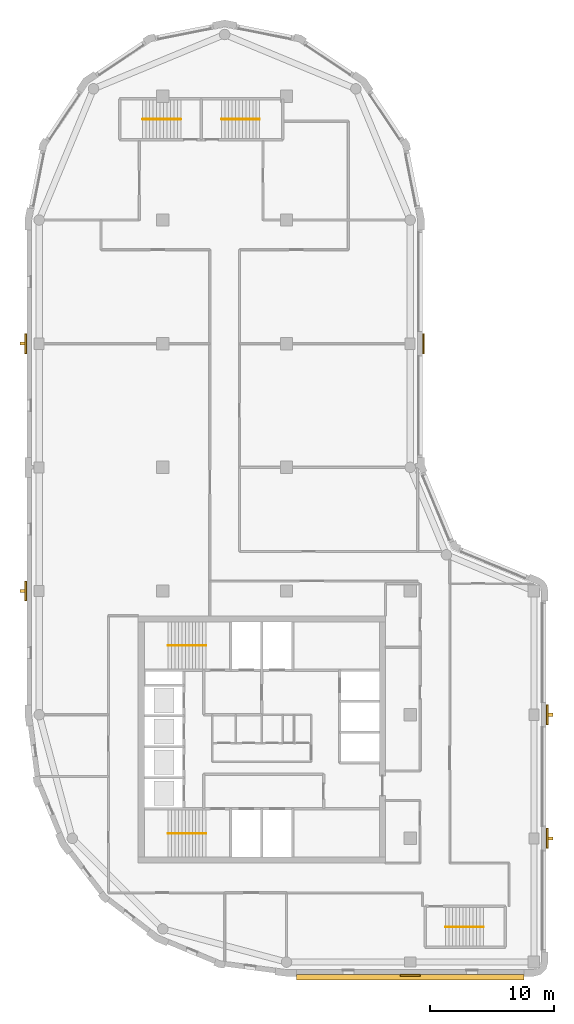
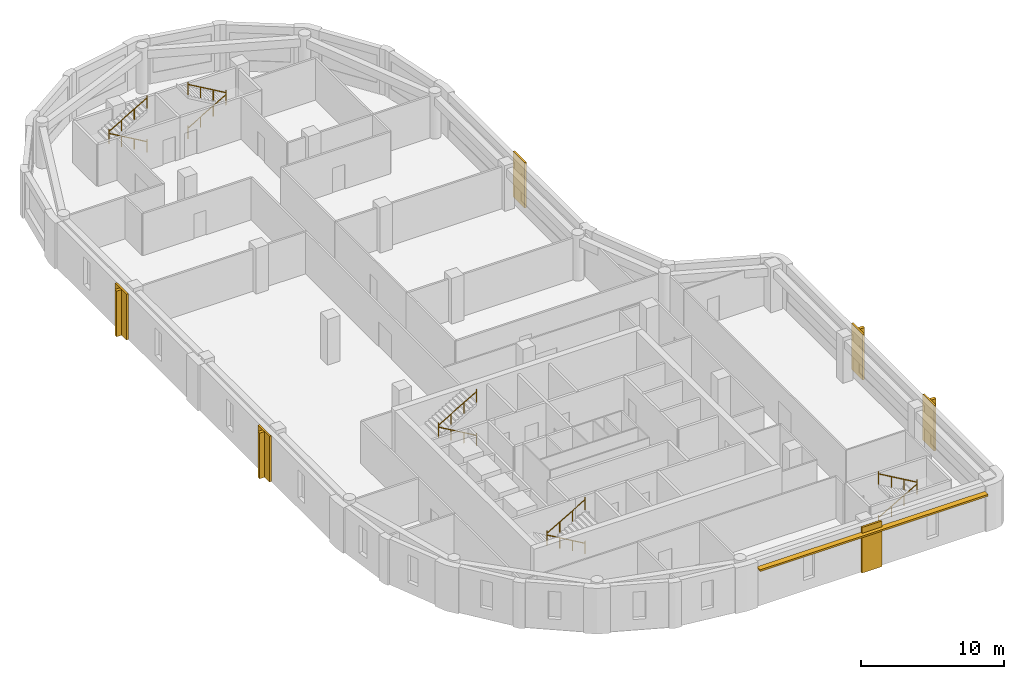
# One storey, part 7 of 8: 10 railings, 6 coverings, 5 shading devices.
"""IFC4 building model written with IfcOpenShell, lengths in metres."""

from ifc_helpers import new_model, si_unit, direction, frame, origin, origin_2d, place, context, subcontext, project, spatial, polyline, rectangle, circle, outline, extrude, material, layer, layer_set, type_object, element, save


model = new_model("IFC4")

# Units and contexts
model_context = context("Model", 3, precision=1e-05, world=origin(), true_north=direction((0.0, 1.0)))
body_context = subcontext(model_context, "Body", "Model", "MODEL_VIEW")
ifc_project = project(units=[si_unit("LENGTHUNIT", "METRE"), si_unit("AREAUNIT", "SQUARE_METRE"), si_unit("VOLUMEUNIT", "CUBIC_METRE"), si_unit("PLANEANGLEUNIT", "RADIAN"), si_unit("MASSUNIT", "GRAM", prefix="KILO")], contexts=[model_context])

# Site, building, storey
site_placement = place(None, origin())
site = spatial("IfcSite", under=ifc_project, at=site_placement, CompositionType="ELEMENT")
building_placement = place(site_placement, origin())
building = spatial("IfcBuilding", under=site, at=building_placement, Name="Qaws Garden Tower", CompositionType="ELEMENT")
storey_placement = place(building_placement, frame((0.0, 0.0, 294.300048828125)))
storey = spatial("IfcBuildingStorey", under=building, at=storey_placement, Name="L71", CompositionType="ELEMENT", Elevation=294.300048828125)

# Coverings
ifc_material_1 = material(Name="Clay facing brick masonry", Category="masonry")
ifc_layer_1 = layer(ifc_material_1, 0.14990234375)
ifc_layer_set_1 = layer_set([ifc_layer_1], Name="Clay facing brick masonry")
covering_type = type_object("IfcCoveringType", Name="Brick pilaster facing 150 x 1600", PredefinedType="CLADDING", material=ifc_layer_set_1)
placement = place(storey_placement, origin())
element("IfcCovering", 1, at=placement, inside=storey, type_object=covering_type, Name="E-L71-pier-01", PredefinedType="CLADDING", context=body_context, shape_type="SweptSolid", body=[
    extrude(outline(polyline([(29.199951171875, -1.0), (30.800048828125, -1.0), (30.800048828125, -1.14990234375), (29.199951171875, -1.14990234375), (29.199951171875, -1.0)])), origin(), (0.0, 0.0, 1.0), 3.89990234375),
])
element("IfcCovering", 2, at=placement, inside=storey, type_object=covering_type, Name="E-L71-pier-03", PredefinedType="CLADDING", context=body_context, shape_type="SweptSolid", body=[
    extrude(outline(polyline([(41.0, 9.199951171875), (41.0, 10.800048828125), (41.14990234375, 10.800048828125), (41.14990234375, 9.199951171875), (41.0, 9.199951171875)])), origin(), (0.0, 0.0, 1.0), 3.89990234375),
])
element("IfcCovering", 3, at=placement, inside=storey, type_object=covering_type, Name="E-L71-pier-04", PredefinedType="CLADDING", context=body_context, shape_type="SweptSolid", body=[
    extrude(outline(polyline([(41.0, 19.199951171875), (41.0, 20.800048828125), (41.14990234375, 20.800048828125), (41.14990234375, 19.199951171875), (41.0, 19.199951171875)])), origin(), (0.0, 0.0, 1.0), 3.89990234375),
])
element("IfcCovering", 4, at=placement, inside=storey, type_object=covering_type, Name="E-L71-pier-08", PredefinedType="CLADDING", context=body_context, shape_type="SweptSolid", body=[
    extrude(outline(polyline([(31.0, 49.199951171875), (31.0, 50.800048828125), (31.14990234375, 50.800048828125), (31.14990234375, 49.199951171875), (31.0, 49.199951171875)])), origin(), (0.0, 0.0, 1.0), 3.89990234375),
])
element("IfcCovering", 5, at=placement, inside=storey, type_object=covering_type, Name="E-L71-pier-18", PredefinedType="CLADDING", context=body_context, shape_type="SweptSolid", body=[
    extrude(outline(polyline([(-1.0, 50.800048828125), (-1.0, 49.199951171875), (-1.14990234375, 49.199951171875), (-1.14990234375, 50.800048828125), (-1.0, 50.800048828125)])), origin(), (0.0, 0.0, 1.0), 3.89990234375),
])
element("IfcCovering", 6, at=placement, inside=storey, type_object=covering_type, Name="E-L71-pier-20", PredefinedType="CLADDING", context=body_context, shape_type="SweptSolid", body=[
    extrude(outline(polyline([(-1.0, 30.800048828125), (-1.0, 29.199951171875), (-1.14990234375, 29.199951171875), (-1.14990234375, 30.800048828125), (-1.0, 30.800048828125)])), origin(), (0.0, 0.0, 1.0), 3.89990234375),
])

# Shading devices
ifc_material_2 = material(Name="Clay facing brick masonry", Category="masonry")
ifc_layer_2 = layer(ifc_material_2, 0.14990234375)
ifc_layer_set_2 = layer_set([ifc_layer_2], Name="Clay facing brick masonry")
shading_device_type_1 = type_object("IfcShadingDeviceType", Name="Brick sunshade band 450 x 150", PredefinedType="JALOUSIE", material=ifc_layer_set_2)
shading_device_placement = place(storey_placement, frame((0.0, 0.0, 3.25)))
element("IfcShadingDevice", 7, at=shading_device_placement, inside=storey, type_object=shading_device_type_1, Name="SUNSHADE 00", PredefinedType="JALOUSIE", context=body_context, shape_type="SweptSolid", body=[
    extrude(outline(polyline([(20.800048828125, -1.0), (20.800048828125, -1.449951171875), (39.199951171875, -1.449951171875), (39.199951171875, -1.0), (30.800048828125, -1.0), (30.800048828125, -1.14990234375), (29.199951171875, -1.14990234375), (29.199951171875, -1.0), (20.800048828125, -1.0)])), origin(), (0.0, 0.0, 1.0), 0.14990234375),
])
ifc_material_3 = material(Name="Clay facing brick masonry", Category="masonry")
ifc_layer_3 = layer(ifc_material_3, 0.25)
ifc_layer_set_3 = layer_set([ifc_layer_3], Name="Clay facing brick masonry")
shading_device_type_2 = type_object("IfcShadingDeviceType", Name="Brick-faced fin 250 x 400", PredefinedType="USERDEFINED", material=ifc_layer_set_3)
for number, where, z_axis, x_axis, name in (
    (8, (41.35009765625, 10.0, 0.0), (0.0, 0.0, 1.0), (0.0, 1.0, 0.0), "FIN 03"),
    (9, (41.35009765625, 20.0, 0.0), (0.0, 0.0, 1.0), (0.0, 1.0, 0.0), "FIN 04"),
    (10, (-1.35009765625, 50.0, 0.0), (0.0, 0.0, 1.0), (0.0, -1.0, 0.0), "FIN 18"),
    (11, (-1.35009765625, 30.0, 0.0), (0.0, 0.0, 1.0), (0.0, -1.0, 0.0), "FIN 20"),
):
    element("IfcShadingDevice", number, at=place(storey_placement, frame(where, z_axis=z_axis, x_axis=x_axis)), inside=storey, type_object=shading_device_type_2, Name=name, ObjectType="FIN", PredefinedType="USERDEFINED", context=body_context, shape_type="SweptSolid", body=[
        extrude(rectangle(XDim=0.25, YDim=0.39990234375, at=origin_2d()), origin(), (0.0, 0.0, 1.0), 3.89990234375),
    ])

# Railings
ifc_material_4 = material(Name="Steel S355", Category="steel")
railing_type = type_object("IfcRailingType", Name="Stair handrail 900", PredefinedType="HANDRAIL", material=ifc_material_4)
railing_1_placement = place(storey_placement, frame((13.5, 10.39990234375, 0.162353515625)))
element("IfcRailing", 12, at=railing_1_placement, inside=storey, type_object=railing_type, Name="Stair 1 handrail", PredefinedType="HANDRAIL", context=body_context, shape_type="SweptSolid", body=[
    extrude(circle(Radius=0.02392578125, at=origin_2d()), frame((0.0, 0.0, 0.8759765625), z_axis=(-0.864890721111, 0.0, 0.501960198159), x_axis=(0.0, -1.0, 0.0)), (0.0, 0.0, 1.0), 3.561279296875),
    extrude(circle(Radius=0.02099609375, at=origin_2d()), origin(), (0.0, 0.0, 1.0), 1.06201171875),
    extrude(circle(Radius=0.02099609375, at=origin_2d()), frame((-1.026611328125, 0.0, 0.595947265625)), (0.0, 0.0, 1.0), 0.851806640625),
    extrude(circle(Radius=0.02099609375, at=origin_2d()), frame((-2.053466796875, 0.0, 1.191650390625)), (0.0, 0.0, 1.0), 0.851806640625),
    extrude(circle(Radius=0.02099609375, at=origin_2d()), frame((-3.080078125, 0.0, 1.78759765625)), (0.0, 0.0, 1.0), 1.06201171875),
])
railing_2_placement = place(storey_placement, frame((10.419921875, 10.39990234375, 2.112548828125)))
element("IfcRailing", 13, at=railing_2_placement, inside=storey, type_object=railing_type, Name="Stair 1 handrail", PredefinedType="HANDRAIL", context=body_context, shape_type="SweptSolid", body=[
    extrude(circle(Radius=0.02392578125, at=origin_2d()), frame((0.0, 0.0, 0.8759765625), z_axis=(0.864920483161, 0.0, 0.501908913857), x_axis=(0.0, 1.0, 0.0)), (0.0, 0.0, 1.0), 3.56103515625),
    extrude(circle(Radius=0.02099609375, at=origin_2d()), origin(), (0.0, 0.0, 1.0), 1.06201171875),
    extrude(circle(Radius=0.02099609375, at=origin_2d()), frame((1.026611328125, 0.0, 0.595703125)), (0.0, 0.0, 1.0), 0.851806640625),
    extrude(circle(Radius=0.02099609375, at=origin_2d()), frame((2.053466796875, 0.0, 1.191650390625)), (0.0, 0.0, 1.0), 0.851806640625),
    extrude(circle(Radius=0.02099609375, at=origin_2d()), frame((3.080078125, 0.0, 1.787353515625)), (0.0, 0.0, 1.0), 1.06201171875),
])
railing_3_placement = place(storey_placement, frame((13.5, 25.60009765625, 0.162353515625)))
element("IfcRailing", 14, at=railing_3_placement, inside=storey, type_object=railing_type, Name="Stair 4 handrail", PredefinedType="HANDRAIL", context=body_context, shape_type="SweptSolid", body=[
    extrude(circle(Radius=0.02392578125, at=origin_2d()), frame((0.0, 0.0, 0.8759765625), z_axis=(-0.864890721111, 0.0, 0.501960198159), x_axis=(0.0, -1.0, 0.0)), (0.0, 0.0, 1.0), 3.561279296875),
    extrude(circle(Radius=0.02099609375, at=origin_2d()), origin(), (0.0, 0.0, 1.0), 1.06201171875),
    extrude(circle(Radius=0.02099609375, at=origin_2d()), frame((-1.026611328125, 0.0, 0.595947265625)), (0.0, 0.0, 1.0), 0.851806640625),
    extrude(circle(Radius=0.02099609375, at=origin_2d()), frame((-2.053466796875, 0.0, 1.191650390625)), (0.0, 0.0, 1.0), 0.851806640625),
    extrude(circle(Radius=0.02099609375, at=origin_2d()), frame((-3.080078125, 0.0, 1.78759765625)), (0.0, 0.0, 1.0), 1.06201171875),
])
railing_4_placement = place(storey_placement, frame((10.419921875, 25.60009765625, 2.112548828125)))
element("IfcRailing", 15, at=railing_4_placement, inside=storey, type_object=railing_type, Name="Stair 4 handrail", PredefinedType="HANDRAIL", context=body_context, shape_type="SweptSolid", body=[
    extrude(circle(Radius=0.02392578125, at=origin_2d()), frame((0.0, 0.0, 0.8759765625), z_axis=(0.864920483161, 0.0, 0.501908913857), x_axis=(0.0, 1.0, 0.0)), (0.0, 0.0, 1.0), 3.56103515625),
    extrude(circle(Radius=0.02099609375, at=origin_2d()), origin(), (0.0, 0.0, 1.0), 1.06201171875),
    extrude(circle(Radius=0.02099609375, at=origin_2d()), frame((1.026611328125, 0.0, 0.595703125)), (0.0, 0.0, 1.0), 0.851806640625),
    extrude(circle(Radius=0.02099609375, at=origin_2d()), frame((2.053466796875, 0.0, 1.191650390625)), (0.0, 0.0, 1.0), 0.851806640625),
    extrude(circle(Radius=0.02099609375, at=origin_2d()), frame((3.080078125, 0.0, 1.787353515625)), (0.0, 0.0, 1.0), 1.06201171875),
])
railing_5_placement = place(storey_placement, frame((32.85009765625, 2.85009765625, 0.162353515625)))
element("IfcRailing", 16, at=railing_5_placement, inside=storey, type_object=railing_type, Name="Stair 5 handrail", PredefinedType="HANDRAIL", context=body_context, shape_type="SweptSolid", body=[
    extrude(circle(Radius=0.02392578125, at=origin_2d()), frame((0.0, 0.0, 0.8759765625), z_axis=(0.864873446163, 0.0, 0.501989962173), x_axis=(0.0, 1.0, 0.0)), (0.0, 0.0, 1.0), 3.56103515625),
    extrude(circle(Radius=0.02099609375, at=origin_2d()), origin(), (0.0, 0.0, 1.0), 1.06201171875),
    extrude(circle(Radius=0.02099609375, at=origin_2d()), frame((1.026611328125, 0.0, 0.595947265625)), (0.0, 0.0, 1.0), 0.851806640625),
    extrude(circle(Radius=0.02099609375, at=origin_2d()), frame((2.05322265625, 0.0, 1.191650390625)), (0.0, 0.0, 1.0), 0.851806640625),
    extrude(circle(Radius=0.02099609375, at=origin_2d()), frame((3.079833984375, 0.0, 1.78759765625)), (0.0, 0.0, 1.0), 1.06201171875),
])
railing_6_placement = place(storey_placement, frame((35.929931640625, 2.85009765625, 2.112548828125)))
element("IfcRailing", 17, at=railing_6_placement, inside=storey, type_object=railing_type, Name="Stair 5 handrail", PredefinedType="HANDRAIL", context=body_context, shape_type="SweptSolid", body=[
    extrude(circle(Radius=0.02392578125, at=origin_2d()), frame((0.0, 0.0, 0.8759765625), z_axis=(-0.864903211148, 0.0, 0.501938676878), x_axis=(0.0, -1.0, 0.0)), (0.0, 0.0, 1.0), 3.560791015625),
    extrude(circle(Radius=0.02099609375, at=origin_2d()), origin(), (0.0, 0.0, 1.0), 1.06201171875),
    extrude(circle(Radius=0.02099609375, at=origin_2d()), frame((-1.026611328125, 0.0, 0.595703125)), (0.0, 0.0, 1.0), 0.851806640625),
    extrude(circle(Radius=0.02099609375, at=origin_2d()), frame((-2.05322265625, 0.0, 1.191650390625)), (0.0, 0.0, 1.0), 0.851806640625),
    extrude(circle(Radius=0.02099609375, at=origin_2d()), frame((-3.079833984375, 0.0, 1.787353515625)), (0.0, 0.0, 1.0), 1.06201171875),
])
railing_7_placement = place(storey_placement, frame((11.449951171875, 68.14990234375, 0.162353515625)))
element("IfcRailing", 18, at=railing_7_placement, inside=storey, type_object=railing_type, Name="Stair 6 handrail", PredefinedType="HANDRAIL", context=body_context, shape_type="SweptSolid", body=[
    extrude(circle(Radius=0.02392578125, at=origin_2d()), frame((0.0, 0.0, 0.8759765625), z_axis=(-0.864873446163, 0.0, 0.501989962173), x_axis=(0.0, -1.0, 0.0)), (0.0, 0.0, 1.0), 3.56103515625),
    extrude(circle(Radius=0.02099609375, at=origin_2d()), origin(), (0.0, 0.0, 1.0), 1.06201171875),
    extrude(circle(Radius=0.02099609375, at=origin_2d()), frame((-1.026611328125, 0.0, 0.595947265625)), (0.0, 0.0, 1.0), 0.851806640625),
    extrude(circle(Radius=0.02099609375, at=origin_2d()), frame((-2.05322265625, 0.0, 1.191650390625)), (0.0, 0.0, 1.0), 0.851806640625),
    extrude(circle(Radius=0.02099609375, at=origin_2d()), frame((-3.079833984375, 0.0, 1.78759765625)), (0.0, 0.0, 1.0), 1.06201171875),
])
railing_8_placement = place(storey_placement, frame((8.3701171875, 68.14990234375, 2.112548828125)))
element("IfcRailing", 19, at=railing_8_placement, inside=storey, type_object=railing_type, Name="Stair 6 handrail", PredefinedType="HANDRAIL", context=body_context, shape_type="SweptSolid", body=[
    extrude(circle(Radius=0.02392578125, at=origin_2d()), frame((0.0, 0.0, 0.8759765625), z_axis=(0.864903211148, 0.0, 0.501938676878), x_axis=(0.0, 1.0, 0.0)), (0.0, 0.0, 1.0), 3.560791015625),
    extrude(circle(Radius=0.02099609375, at=origin_2d()), origin(), (0.0, 0.0, 1.0), 1.06201171875),
    extrude(circle(Radius=0.02099609375, at=origin_2d()), frame((1.026611328125, 0.0, 0.595703125)), (0.0, 0.0, 1.0), 0.851806640625),
    extrude(circle(Radius=0.02099609375, at=origin_2d()), frame((2.05322265625, 0.0, 1.191650390625)), (0.0, 0.0, 1.0), 0.851806640625),
    extrude(circle(Radius=0.02099609375, at=origin_2d()), frame((3.079833984375, 0.0, 1.787353515625)), (0.0, 0.0, 1.0), 1.06201171875),
])
railing_9_placement = place(storey_placement, frame((14.75, 68.14990234375, 0.162353515625)))
element("IfcRailing", 20, at=railing_9_placement, inside=storey, type_object=railing_type, Name="Stair 7 handrail", PredefinedType="HANDRAIL", context=body_context, shape_type="SweptSolid", body=[
    extrude(circle(Radius=0.02392578125, at=origin_2d()), frame((0.0, 0.0, 0.8759765625), z_axis=(0.864890721111, 0.0, 0.501960198159), x_axis=(0.0, 1.0, 0.0)), (0.0, 0.0, 1.0), 3.561279296875),
    extrude(circle(Radius=0.02099609375, at=origin_2d()), origin(), (0.0, 0.0, 1.0), 1.06201171875),
    extrude(circle(Radius=0.02099609375, at=origin_2d()), frame((1.026611328125, 0.0, 0.595947265625)), (0.0, 0.0, 1.0), 0.851806640625),
    extrude(circle(Radius=0.02099609375, at=origin_2d()), frame((2.053466796875, 0.0, 1.191650390625)), (0.0, 0.0, 1.0), 0.851806640625),
    extrude(circle(Radius=0.02099609375, at=origin_2d()), frame((3.080078125, 0.0, 1.78759765625)), (0.0, 0.0, 1.0), 1.06201171875),
])
railing_10_placement = place(storey_placement, frame((17.830078125, 68.14990234375, 2.112548828125)))
element("IfcRailing", 21, at=railing_10_placement, inside=storey, type_object=railing_type, Name="Stair 7 handrail", PredefinedType="HANDRAIL", context=body_context, shape_type="SweptSolid", body=[
    extrude(circle(Radius=0.02392578125, at=origin_2d()), frame((0.0, 0.0, 0.8759765625), z_axis=(-0.864920483161, 0.0, 0.501908913857), x_axis=(0.0, -1.0, 0.0)), (0.0, 0.0, 1.0), 3.56103515625),
    extrude(circle(Radius=0.02099609375, at=origin_2d()), origin(), (0.0, 0.0, 1.0), 1.06201171875),
    extrude(circle(Radius=0.02099609375, at=origin_2d()), frame((-1.026611328125, 0.0, 0.595703125)), (0.0, 0.0, 1.0), 0.851806640625),
    extrude(circle(Radius=0.02099609375, at=origin_2d()), frame((-2.053466796875, 0.0, 1.191650390625)), (0.0, 0.0, 1.0), 0.851806640625),
    extrude(circle(Radius=0.02099609375, at=origin_2d()), frame((-3.080078125, 0.0, 1.787353515625)), (0.0, 0.0, 1.0), 1.06201171875),
])

save(model, "model.ifc")
